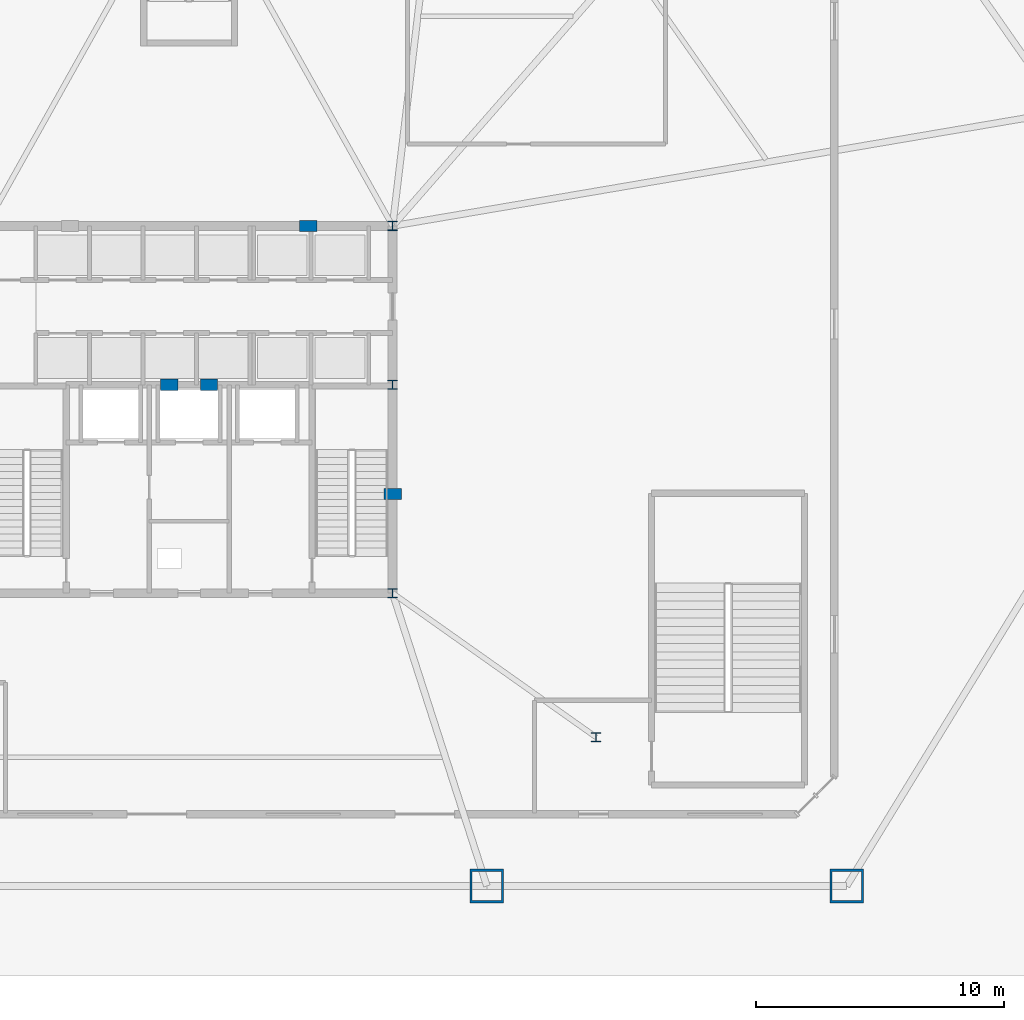
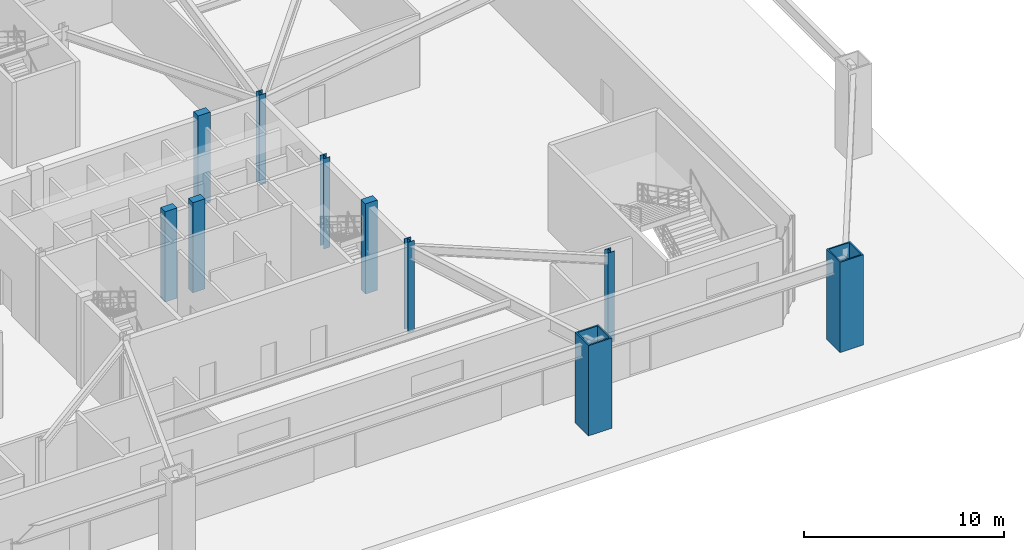
# One storey, part 2 of 20: 10 columns.
"""IFC4 building model written with IfcOpenShell, lengths in metres."""

from ifc_helpers import new_model, si_unit, direction, frame, origin, origin_2d, place, context, subcontext, project, spatial, rectangle, hollow_rectangle, i_section, extrude, material, material_profile, profile_set, type_object, element, save


model = new_model("IFC4")

# Units and contexts
model_context = context("Model", 3, precision=1e-05, world=origin(), true_north=direction((0.0, 1.0)))
body_context = subcontext(model_context, "Body", "Model", "MODEL_VIEW")
ifc_project = project(units=[si_unit("LENGTHUNIT", "METRE"), si_unit("AREAUNIT", "SQUARE_METRE"), si_unit("VOLUMEUNIT", "CUBIC_METRE"), si_unit("PLANEANGLEUNIT", "RADIAN"), si_unit("MASSUNIT", "GRAM", prefix="KILO")], contexts=[model_context])

# Site, building, storey
site_placement = place(None, origin())
site = spatial("IfcSite", under=ifc_project, at=site_placement, CompositionType="ELEMENT")
building_placement = place(site_placement, origin())
building = spatial("IfcBuilding", under=site, at=building_placement, Name="Varakhsha Concourse Tower", CompositionType="ELEMENT")
storey_placement = place(building_placement, origin())
storey = spatial("IfcBuildingStorey", under=building, at=storey_placement, Name="L01", CompositionType="ELEMENT", Elevation=0.0)

# Columns
ifc_material_1 = material(Name="Structural Steel ASTM A992 Grade 50", Category="steel")
ifc_material_profile_1 = material_profile(ifc_material_1, i_section(OverallWidth=0.3740234375, OverallDepth=0.3720703125, WebThickness=0.01611328125, FlangeThickness=0.02587890625, at=origin_2d()), Name="W14X132")
ifc_profile_set_1 = profile_set([ifc_material_profile_1], Name="Structural Steel ASTM A992 Grade 50")
column_type_1 = type_object("IfcColumnType", Name="CL-CORE-W14X132", PredefinedType="COLUMN", material=ifc_profile_set_1)
for number, where, z_axis, x_axis, name in (
    (1, (48.199951171875, 16.39990234375, 0.0), (0.0, 0.0, 1.0), (1.0, 0.0, 0.0), "L01 Core Column CC-SE"),
    (2, (48.199951171875, 24.800048828125, 0.0), (0.0, 0.0, 1.0), (1.0, 0.0, 0.0), "L01 Core Column CC-ME"),
    (3, (48.199951171875, 31.199951171875, 0.0), (0.0, 0.0, 1.0), (1.0, 0.0, 0.0), "L01 Core Column CC-NE"),
    (4, (56.39990234375, 10.60009765625, 0.0), (0.0, 0.0, 1.0), (1.0, 0.0, 0.0), "L01 Core Column SS-E"),
):
    element("IfcColumn", number, at=place(storey_placement, frame(where, z_axis=z_axis, x_axis=x_axis)), inside=storey, type_object=column_type_1, Name=name, PredefinedType="COLUMN", context=body_context, shape_type="SweptSolid", body=[
        extrude(i_section(OverallWidth=0.3740234375, OverallDepth=0.3720703125, WebThickness=0.01611328125, FlangeThickness=0.02587890625, at=origin_2d()), origin(), (0.0, 0.0, 1.0), 5.5),
    ])
ifc_material_2 = material(Name="Concrete fc 65 MPa", Category="concrete")
ifc_material_profile_2 = material_profile(ifc_material_2, rectangle(XDim=0.699951171875, YDim=0.449951171875, at=origin_2d()), Name="RC 700x450")
ifc_profile_set_2 = profile_set([ifc_material_profile_2], Name="Concrete fc 65 MPa")
column_type_2 = type_object("IfcColumnType", Name="CL-PIL-700X450", PredefinedType="PILASTER", material=ifc_profile_set_2)
for number, where, z_axis, x_axis, name in (
    (5, (48.199951171875, 20.39990234375, 0.0), (0.0, 0.0, 1.0), (1.0, 0.0, 0.0), "L01 Core Boundary Pilaster PIL-E1"),
    (6, (44.800048828125, 31.199951171875, 0.0), (0.0, 0.0, 1.0), (1.0, 0.0, 0.0), "L01 Core Boundary Pilaster PIL-N2"),
    (7, (39.199951171875, 24.800048828125, 0.0), (0.0, 0.0, 1.0), (1.0, 0.0, 0.0), "L01 Core Boundary Pilaster PIL-M1"),
    (8, (40.800048828125, 24.800048828125, 0.0), (0.0, 0.0, 1.0), (1.0, 0.0, 0.0), "L01 Core Boundary Pilaster PIL-M2"),
):
    element("IfcColumn", number, at=place(storey_placement, frame(where, z_axis=z_axis, x_axis=x_axis)), inside=storey, type_object=column_type_2, Name=name, PredefinedType="PILASTER", context=body_context, shape_type="SweptSolid", body=[
        extrude(rectangle(XDim=0.699951171875, YDim=0.449951171875, at=origin_2d()), origin(), (0.0, 0.0, 1.0), 5.5),
    ])
ifc_material_3 = material(Name="Structural Steel ASTM A572 Grade 50", Category="steel")
ifc_material_profile_3 = material_profile(ifc_material_3, hollow_rectangle(XDim=1.35009765625, YDim=1.35009765625, WallThickness=0.0849609375, at=origin_2d()), Name="BOX 1350x1350x85")
ifc_profile_set_3 = profile_set([ifc_material_profile_3], Name="Structural Steel ASTM A572 Grade 50")
column_type_3 = type_object("IfcColumnType", Name="CL-STILT-1350", PredefinedType="COLUMN", material=ifc_profile_set_3)
for number, where, z_axis, x_axis, name in (
    (9, (52.0, 4.60009765625, 0.0), (0.0, 0.0, 1.0), (1.0, 0.0, 0.0), "L01 Open Perimeter Box Stilt PC-S3"),
    (10, (66.5, 4.60009765625, 0.0), (0.0, 0.0, 1.0), (1.0, 0.0, 0.0), "L01 Open Perimeter Box Stilt PC-S4"),
):
    element("IfcColumn", number, at=place(storey_placement, frame(where, z_axis=z_axis, x_axis=x_axis)), inside=storey, type_object=column_type_3, Name=name, PredefinedType="COLUMN", context=body_context, shape_type="SweptSolid", body=[
        extrude(hollow_rectangle(XDim=1.35009765625, YDim=1.35009765625, WallThickness=0.0849609375, at=origin_2d()), origin(), (0.0, 0.0, 1.0), 5.5),
    ])

save(model, "model.ifc")
